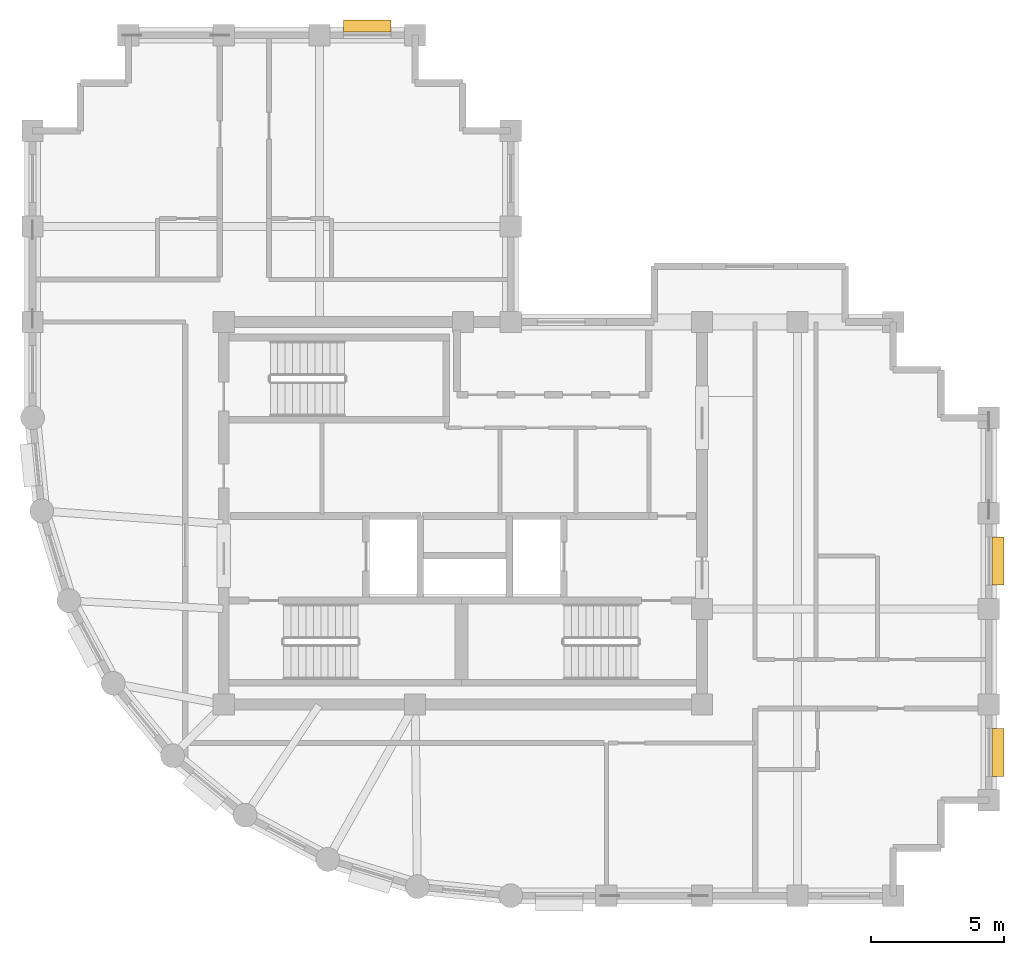
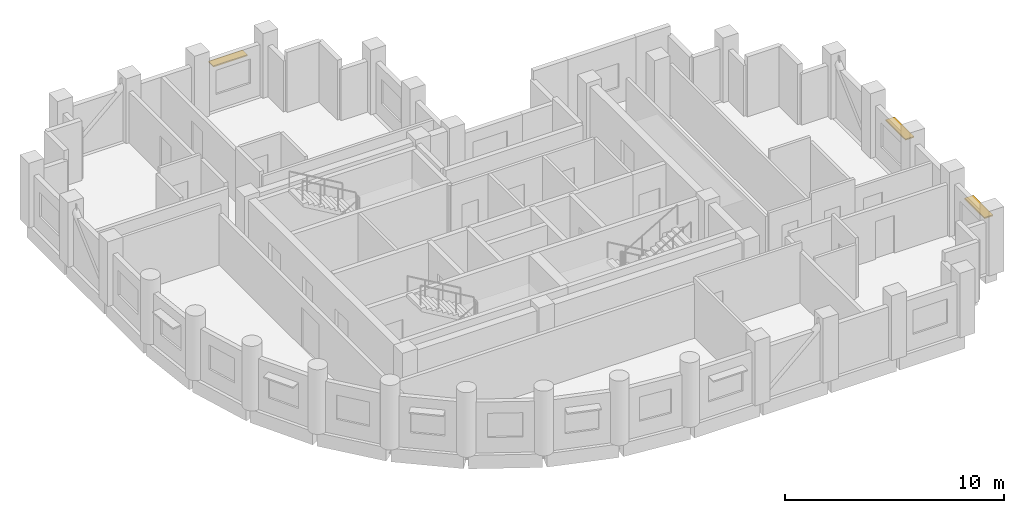
# One storey, part 7 of 7: 3 shading devices.
"""IFC4 building model written with IfcOpenShell, lengths in metres."""

from ifc_helpers import new_model, si_unit, direction, frame, origin, origin_2d, place, context, subcontext, project, spatial, rectangle, extrude, material, layer, layer_set, type_object, element, save


model = new_model("IFC4")

# Units and contexts
model_context = context("Model", 3, precision=1e-05, world=origin(), true_north=direction((0.0, 1.0)))
body_context = subcontext(model_context, "Body", "Model", "MODEL_VIEW")
ifc_project = project(units=[si_unit("LENGTHUNIT", "METRE"), si_unit("AREAUNIT", "SQUARE_METRE"), si_unit("VOLUMEUNIT", "CUBIC_METRE"), si_unit("PLANEANGLEUNIT", "RADIAN"), si_unit("MASSUNIT", "GRAM", prefix="KILO")], contexts=[model_context])

# Site, building, storey
site_placement = place(None, origin())
site = spatial("IfcSite", under=ifc_project, at=site_placement, CompositionType="ELEMENT")
building_placement = place(site_placement, origin())
building = spatial("IfcBuilding", under=site, at=building_placement, Name="Solnavia Interchange Tower", CompositionType="ELEMENT")
storey_placement = place(building_placement, frame((0.0, 0.0, 288.199951171875)))
storey = spatial("IfcBuildingStorey", under=building, at=storey_placement, Name="L73", CompositionType="ELEMENT", Elevation=288.199951171875)

# Shading devices
ifc_material = material(Name="Anodised Aluminium Sunshade", Category="aluminium")
ifc_layer = layer(ifc_material, 0.070068359375)
ifc_layer_set = layer_set([ifc_layer], Name="Anodised Aluminium Sunshade")
shading_device_type = type_object("IfcShadingDeviceType", Name="Sunshade-Band-450", PredefinedType="JALOUSIE", material=ifc_layer_set)
for number, where, z_axis, x_axis, name in (
    (1, (43.544921875, 9.0, 2.22509765625), (0.0, 0.0, 1.0), (0.0, -1.0, 0.0), "SHD-L73-09 Horizontal sunshade band"),
    (2, (43.544921875, 16.199951171875, 2.22509765625), (0.0, 0.0, 1.0), (0.0, -1.0, 0.0), "SHD-L73-11 Horizontal sunshade band"),
    (3, (19.800048828125, 36.344970703125, 2.22509765625), (0.0, 0.0, 1.0), (1.0, 0.0, 0.0), "SHD-L73-31 Horizontal sunshade band"),
):
    element("IfcShadingDevice", number, at=place(storey_placement, frame(where, z_axis=z_axis, x_axis=x_axis)), inside=storey, type_object=shading_device_type, Name=name, PredefinedType="JALOUSIE", context=body_context, shape_type="SweptSolid", body=[
        extrude(rectangle(XDim=1.800048828125, YDim=0.449951171875, at=origin_2d()), origin(), (0.0, 0.0, 1.0), 0.070068359375),
    ])

save(model, "model.ifc")
